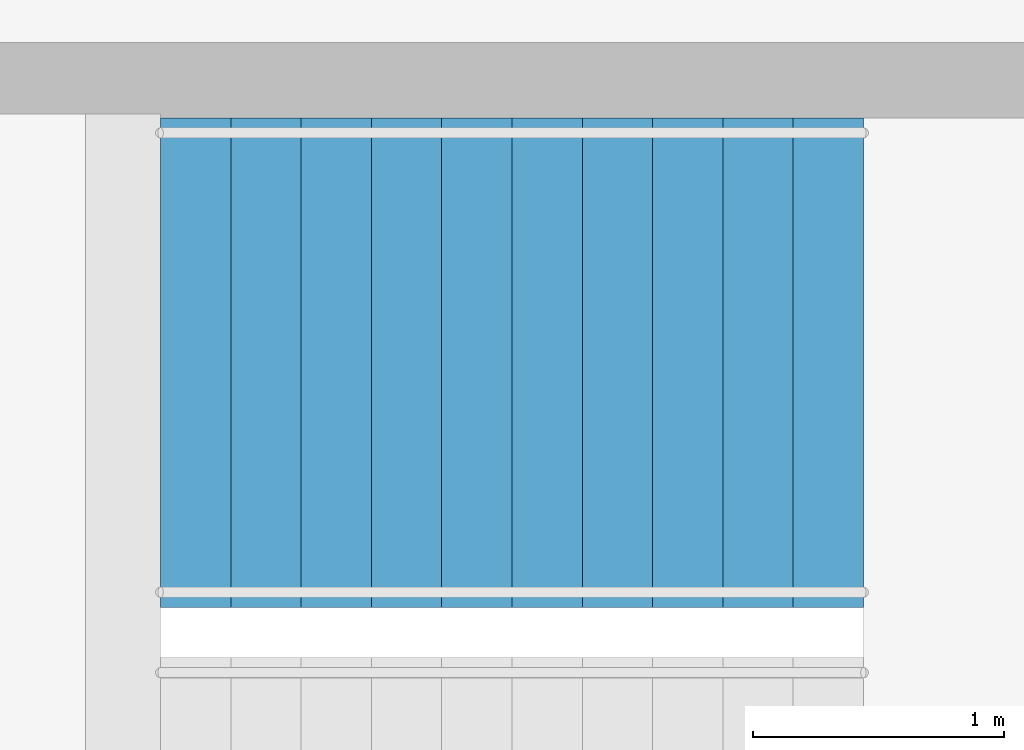
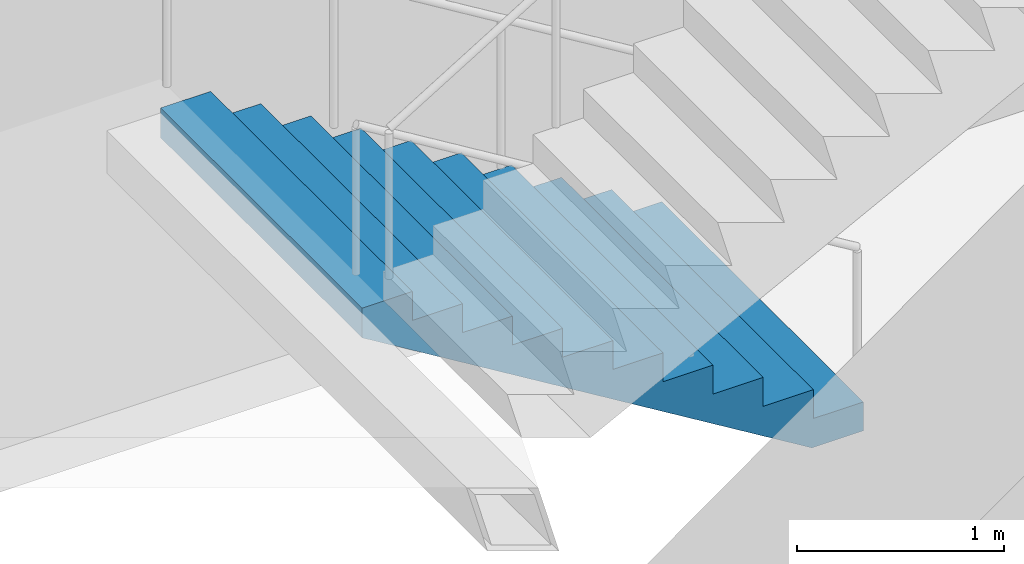
# One storey, part 22 of 23: 1 stair flight, 1 element without a shape of its own.
"""IFC4 building model written with IfcOpenShell, lengths in metres."""

from ifc_helpers import new_model, si_unit, direction, frame, origin, place, context, subcontext, project, spatial, triangles, material, type_object, element, aggregate, save


model = new_model("IFC4")

# Units and contexts
model_context = context("Model", 3, precision=1e-05, world=origin(), true_north=direction((0.0, 1.0)))
body_context = subcontext(model_context, "Body", "Model", "MODEL_VIEW")
ifc_project = project(units=[si_unit("LENGTHUNIT", "METRE"), si_unit("AREAUNIT", "SQUARE_METRE"), si_unit("VOLUMEUNIT", "CUBIC_METRE"), si_unit("PLANEANGLEUNIT", "RADIAN"), si_unit("MASSUNIT", "GRAM", prefix="KILO")], contexts=[model_context])

# Site, building, storey
site_placement = place(None, origin())
site = spatial("IfcSite", under=ifc_project, at=site_placement, CompositionType="ELEMENT")
building_placement = place(site_placement, origin())
building = spatial("IfcBuilding", under=site, at=building_placement, Name="Orbita Commons", CompositionType="ELEMENT")
storey_placement = place(building_placement, frame((0.0, 0.0, 254.050048828125)))
storey = spatial("IfcBuildingStorey", under=building, at=storey_placement, Name="L63", CompositionType="ELEMENT", Elevation=254.050048828125)

# Stair, stair flight
ifc_material_1 = material(Name="Precast concrete C40/50", Category="concrete")
stair_type = type_object("IfcStairType", Name="Exit stair S2 2 flights 11 risers 170", PredefinedType="HALF_TURN_STAIR", material=ifc_material_1)
stair_placement = place(storey_placement, origin())
stair = element("IfcStair", 1, at=stair_placement, inside=storey, type_object=stair_type, Name="Exit stair S2 L63", PredefinedType="HALF_TURN_STAIR")
ifc_material_2 = material(Name="Precast concrete C40/50", Category="concrete")
stair_flight_type = type_object("IfcStairFlightType", Name="Stair flight 11 risers 170 x 280", PredefinedType="STRAIGHT", material=ifc_material_2)
stair_flight_placement = place(storey_placement, frame((63.550048828125, 29.27490234375, 0.0), z_axis=(0.0, 0.0, 1.0), x_axis=(-1.0, 0.0, 0.0)))
stair_flight = element("IfcStairFlight", 2, at=stair_flight_placement, type_object=stair_flight_type, Name="S2 flight 1", NumberOfRisers=11, NumberOfTreads=10, PredefinedType="STRAIGHT", RiserHeight=0.170454545, TreadLength=0.28, context=body_context, shape_type="Tessellation", body=[
    triangles([(0.0, 0.974976, 0.0), (0.0, 0.974976, 0.021307), (0.0, 0.81248, 0.021307), (0.0, 0.81248, 0.0), (0.0, 0.649984, 0.021307), (0.0, 0.649984, 0.0), (0.0, 0.487488, 0.021307), (0.0, 0.487488, 0.0), (0.0, 0.324992, 0.021307), (0.0, 0.324992, 0.0), (0.0, 0.162496, 0.021307), (0.0, 0.162496, 0.0), (0.0, 0.0, 0.021307), (0.0, 0.0, 0.0), (0.0, -0.162496, 0.021307), (0.0, -0.162496, 0.0), (0.0, -0.324992, 0.021307), (0.0, -0.324992, 0.0), (0.0, -0.487488, 0.021307), (0.0, -0.487488, 0.0), (0.0, -0.649984, 0.021307), (0.0, -0.649984, 0.0), (0.0, -0.81248, 0.021307), (0.0, -0.81248, 0.0), (0.0, -0.974976, 0.021307), (0.0, -0.974976, 0.0), (0.0, 0.974976, 0.042614), (0.0, 0.81248, 0.042614), (0.0, 0.649984, 0.042614), (0.0, 0.487488, 0.042614), (0.0, 0.324992, 0.042614), (0.0, 0.162496, 0.042614), (0.0, 0.0, 0.042614), (0.0, -0.162496, 0.042614), (0.0, -0.324992, 0.042614), (0.0, -0.487488, 0.042614), (0.0, -0.649984, 0.042614), (0.0, -0.81248, 0.042614), (0.0, -0.974976, 0.042614), (0.0, 0.974976, 0.06392), (0.0, 0.81248, 0.06392), (0.0, 0.649984, 0.06392), (0.0, 0.487488, 0.06392), (0.0, 0.324992, 0.06392), (0.0, 0.162496, 0.06392), (0.0, 0.0, 0.06392), (0.0, -0.162496, 0.06392), (0.0, -0.324992, 0.06392), (0.0, -0.487488, 0.06392), (0.0, -0.649984, 0.06392), (0.0, -0.81248, 0.06392), (0.0, -0.974976, 0.06392), (0.0, 0.974976, 0.085227), (0.0, 0.81248, 0.085227), (0.0, 0.649984, 0.085227), (0.0, 0.487488, 0.085227), (0.0, 0.324992, 0.085227), (0.0, 0.162496, 0.085227), (0.0, 0.0, 0.085227), (0.0, -0.162496, 0.085227), (0.0, -0.324992, 0.085227), (0.0, -0.487488, 0.085227), (0.0, -0.649984, 0.085227), (0.0, -0.81248, 0.085227), (0.0, -0.974976, 0.085227), (0.0, 0.974976, 0.106534), (0.0, 0.81248, 0.106534), (0.0, 0.649984, 0.106534), (0.0, 0.487488, 0.106534), (0.0, 0.324992, 0.106534), (0.0, 0.162496, 0.106534), (0.0, 0.0, 0.106534), (0.0, -0.162496, 0.106534), (0.0, -0.324992, 0.106534), (0.0, -0.487488, 0.106534), (0.0, -0.649984, 0.106534), (0.0, -0.81248, 0.106534), (0.0, -0.974976, 0.106534), (0.0, 0.974976, 0.127841), (0.0, 0.81248, 0.127841), (0.0, 0.649984, 0.127841), (0.0, 0.487488, 0.127841), (0.0, 0.324992, 0.127841), (0.0, 0.162496, 0.127841), (0.0, 0.0, 0.127841), (0.0, -0.162496, 0.127841), (0.0, -0.324992, 0.127841), (0.0, -0.487488, 0.127841), (0.0, -0.649984, 0.127841), (0.0, -0.81248, 0.127841), (0.0, -0.974976, 0.127841), (0.0, 0.974976, 0.149148), (0.0, 0.81248, 0.149148), (0.0, 0.649984, 0.149148), (0.0, 0.487488, 0.149148), (0.0, 0.324992, 0.149148), (0.0, 0.162496, 0.149148), (0.0, 0.0, 0.149148), (0.0, -0.162496, 0.149148), (0.0, -0.324992, 0.149148), (0.0, -0.487488, 0.149148), (0.0, -0.649984, 0.149148), (0.0, -0.81248, 0.149148), (0.0, -0.974976, 0.149148), (0.0, 0.974976, 0.170455), (0.0, 0.81248, 0.170455), (0.0, 0.649984, 0.170455), (0.0, 0.487488, 0.170455), (0.0, 0.324992, 0.170455), (0.0, 0.162496, 0.170455), (0.0, 0.0, 0.170455), (0.0, -0.162496, 0.170455), (0.0, -0.324992, 0.170455), (0.0, -0.487488, 0.170455), (0.0, -0.649984, 0.170455), (0.0, -0.81248, 0.170455), (0.0, -0.974976, 0.170455), (0.28, 0.974976, 0.170455), (0.28, 0.81248, 0.170455), (0.28, 0.649984, 0.170455), (0.28, 0.487488, 0.170455), (0.28, 0.324992, 0.170455), (0.28, 0.162496, 0.170455), (0.28, 0.0, 0.170455), (0.28, -0.162496, 0.170455), (0.28, -0.324992, 0.170455), (0.28, -0.487488, 0.170455), (0.28, -0.649984, 0.170455), (0.28, -0.81248, 0.170455), (0.28, -0.974976, 0.170455), (0.28, 0.974976, 0.340909), (0.28, 0.81248, 0.340909), (0.28, 0.649984, 0.340909), (0.28, 0.487488, 0.340909), (0.28, 0.324992, 0.340909), (0.28, 0.162496, 0.340909), (0.28, 0.0, 0.340909), (0.28, -0.162496, 0.340909), (0.28, -0.324992, 0.340909), (0.28, -0.487488, 0.340909), (0.28, -0.649984, 0.340909), (0.28, -0.81248, 0.340909), (0.28, -0.974976, 0.340909), (0.56, 0.974976, 0.340909), (0.56, 0.81248, 0.340909), (0.56, 0.649984, 0.340909), (0.56, 0.487488, 0.340909), (0.56, 0.324992, 0.340909), (0.56, 0.162496, 0.340909), (0.56, 0.0, 0.340909), (0.56, -0.162496, 0.340909), (0.56, -0.324992, 0.340909), (0.56, -0.487488, 0.340909), (0.56, -0.649984, 0.340909), (0.56, -0.81248, 0.340909), (0.56, -0.974976, 0.340909), (0.56, 0.974976, 0.511364), (0.56, 0.81248, 0.511364), (0.56, 0.649984, 0.511364), (0.56, 0.487488, 0.511364), (0.56, 0.324992, 0.511364), (0.56, 0.162496, 0.511364), (0.56, 0.0, 0.511364), (0.56, -0.162496, 0.511364), (0.56, -0.324992, 0.511364), (0.56, -0.487488, 0.511364), (0.56, -0.649984, 0.511364), (0.56, -0.81248, 0.511364), (0.56, -0.974976, 0.511364), (0.84, 0.974976, 0.511364), (0.84, 0.81248, 0.511364), (0.84, 0.649984, 0.511364), (0.84, 0.487488, 0.511364), (0.84, 0.324992, 0.511364), (0.84, 0.162496, 0.511364), (0.84, 0.0, 0.511364), (0.84, -0.162496, 0.511364), (0.84, -0.324992, 0.511364), (0.84, -0.487488, 0.511364), (0.84, -0.649984, 0.511364), (0.84, -0.81248, 0.511364), (0.84, -0.974976, 0.511364), (0.84, 0.974976, 0.681818), (0.84, 0.81248, 0.681818), (0.84, 0.649984, 0.681818), (0.84, 0.487488, 0.681818), (0.84, 0.324992, 0.681818), (0.84, 0.162496, 0.681818), (0.84, 0.0, 0.681818), (0.84, -0.162496, 0.681818), (0.84, -0.324992, 0.681818), (0.84, -0.487488, 0.681818), (0.84, -0.649984, 0.681818), (0.84, -0.81248, 0.681818), (0.84, -0.974976, 0.681818), (1.12, 0.974976, 0.681818), (1.12, 0.81248, 0.681818), (1.12, 0.649984, 0.681818), (1.12, 0.487488, 0.681818), (1.12, 0.324992, 0.681818), (1.12, 0.162496, 0.681818), (1.12, 0.0, 0.681818), (1.12, -0.162496, 0.681818), (1.12, -0.324992, 0.681818), (1.12, -0.487488, 0.681818), (1.12, -0.649984, 0.681818), (1.12, -0.81248, 0.681818), (1.12, -0.974976, 0.681818), (1.12, 0.974976, 0.852273), (1.12, 0.81248, 0.852273), (1.12, 0.649984, 0.852273), (1.12, 0.487488, 0.852273), (1.12, 0.324992, 0.852273), (1.12, 0.162496, 0.852273), (1.12, 0.0, 0.852273), (1.12, -0.162496, 0.852273), (1.12, -0.324992, 0.852273), (1.12, -0.487488, 0.852273), (1.12, -0.649984, 0.852273), (1.12, -0.81248, 0.852273), (1.12, -0.974976, 0.852273), (1.4, 0.974976, 0.852273), (1.4, 0.81248, 0.852273), (1.4, 0.649984, 0.852273), (1.4, 0.487488, 0.852273), (1.4, 0.324992, 0.852273), (1.4, 0.162496, 0.852273), (1.4, 0.0, 0.852273), (1.4, -0.162496, 0.852273), (1.4, -0.324992, 0.852273), (1.4, -0.487488, 0.852273), (1.4, -0.649984, 0.852273), (1.4, -0.81248, 0.852273), (1.4, -0.974976, 0.852273), (1.4, 0.974976, 1.022727), (1.4, 0.81248, 1.022727), (1.4, 0.649984, 1.022727), (1.4, 0.487488, 1.022727), (1.4, 0.324992, 1.022727), (1.4, 0.162496, 1.022727), (1.4, 0.0, 1.022727), (1.4, -0.162496, 1.022727), (1.4, -0.324992, 1.022727), (1.4, -0.487488, 1.022727), (1.4, -0.649984, 1.022727), (1.4, -0.81248, 1.022727), (1.4, -0.974976, 1.022727), (1.68, 0.974976, 1.022727), (1.68, 0.81248, 1.022727), (1.68, 0.649984, 1.022727), (1.68, 0.487488, 1.022727), (1.68, 0.324992, 1.022727), (1.68, 0.162496, 1.022727), (1.68, 0.0, 1.022727), (1.68, -0.162496, 1.022727), (1.68, -0.324992, 1.022727), (1.68, -0.487488, 1.022727), (1.68, -0.649984, 1.022727), (1.68, -0.81248, 1.022727), (1.68, -0.974976, 1.022727), (1.68, 0.974976, 1.193182), (1.68, 0.81248, 1.193182), (1.68, 0.649984, 1.193182), (1.68, 0.487488, 1.193182), (1.68, 0.324992, 1.193182), (1.68, 0.162496, 1.193182), (1.68, 0.0, 1.193182), (1.68, -0.162496, 1.193182), (1.68, -0.324992, 1.193182), (1.68, -0.487488, 1.193182), (1.68, -0.649984, 1.193182), (1.68, -0.81248, 1.193182), (1.68, -0.974976, 1.193182), (1.96, 0.974976, 1.193182), (1.96, 0.81248, 1.193182), (1.96, 0.649984, 1.193182), (1.96, 0.487488, 1.193182), (1.96, 0.324992, 1.193182), (1.96, 0.162496, 1.193182), (1.96, 0.0, 1.193182), (1.96, -0.162496, 1.193182), (1.96, -0.324992, 1.193182), (1.96, -0.487488, 1.193182), (1.96, -0.649984, 1.193182), (1.96, -0.81248, 1.193182), (1.96, -0.974976, 1.193182), (1.96, 0.974976, 1.363636), (1.96, 0.81248, 1.363636), (1.96, 0.649984, 1.363636), (1.96, 0.487488, 1.363636), (1.96, 0.324992, 1.363636), (1.96, 0.162496, 1.363636), (1.96, 0.0, 1.363636), (1.96, -0.162496, 1.363636), (1.96, -0.324992, 1.363636), (1.96, -0.487488, 1.363636), (1.96, -0.649984, 1.363636), (1.96, -0.81248, 1.363636), (1.96, -0.974976, 1.363636), (2.24, 0.974976, 1.363636), (2.24, 0.81248, 1.363636), (2.24, 0.649984, 1.363636), (2.24, 0.487488, 1.363636), (2.24, 0.324992, 1.363636), (2.24, 0.162496, 1.363636), (2.24, 0.0, 1.363636), (2.24, -0.162496, 1.363636), (2.24, -0.324992, 1.363636), (2.24, -0.487488, 1.363636), (2.24, -0.649984, 1.363636), (2.24, -0.81248, 1.363636), (2.24, -0.974976, 1.363636), (2.24, 0.974976, 1.534091), (2.24, 0.81248, 1.534091), (2.24, 0.649984, 1.534091), (2.24, 0.487488, 1.534091), (2.24, 0.324992, 1.534091), (2.24, 0.162496, 1.534091), (2.24, 0.0, 1.534091), (2.24, -0.162496, 1.534091), (2.24, -0.324992, 1.534091), (2.24, -0.487488, 1.534091), (2.24, -0.649984, 1.534091), (2.24, -0.81248, 1.534091), (2.24, -0.974976, 1.534091), (2.52, 0.974976, 1.534091), (2.52, 0.81248, 1.534091), (2.52, 0.649984, 1.534091), (2.52, 0.487488, 1.534091), (2.52, 0.324992, 1.534091), (2.52, 0.162496, 1.534091), (2.52, 0.0, 1.534091), (2.52, -0.162496, 1.534091), (2.52, -0.324992, 1.534091), (2.52, -0.487488, 1.534091), (2.52, -0.649984, 1.534091), (2.52, -0.81248, 1.534091), (2.52, -0.974976, 1.534091), (2.52, 0.974976, 1.704545), (2.52, 0.81248, 1.704545), (2.52, 0.649984, 1.704545), (2.52, 0.487488, 1.704545), (2.52, 0.324992, 1.704545), (2.52, 0.162496, 1.704545), (2.52, 0.0, 1.704545), (2.52, -0.162496, 1.704545), (2.52, -0.324992, 1.704545), (2.52, -0.487488, 1.704545), (2.52, -0.649984, 1.704545), (2.52, -0.81248, 1.704545), (2.52, -0.974976, 1.704545), (2.8, 0.974976, 1.704545), (2.8, 0.81248, 1.704545), (2.8, 0.649984, 1.704545), (2.8, 0.487488, 1.704545), (2.8, 0.324992, 1.704545), (2.8, 0.162496, 1.704545), (2.8, 0.0, 1.704545), (2.8, -0.162496, 1.704545), (2.8, -0.324992, 1.704545), (2.8, -0.487488, 1.704545), (2.8, -0.649984, 1.704545), (2.8, -0.81248, 1.704545), (2.8, -0.974976, 1.704545), (2.8, 0.974976, 1.682609), (2.8, 0.81248, 1.682609), (2.8, 0.649984, 1.682609), (2.8, 0.487488, 1.682609), (2.8, 0.324992, 1.682609), (2.8, 0.162496, 1.682609), (2.8, 0.0, 1.682609), (2.8, -0.162496, 1.682609), (2.8, -0.324992, 1.682609), (2.8, -0.487488, 1.682609), (2.8, -0.649984, 1.682609), (2.8, -0.81248, 1.682609), (2.8, -0.974976, 1.682609), (2.8, 0.974976, 1.660672), (2.8, 0.81248, 1.660672), (2.8, 0.649984, 1.660672), (2.8, 0.487488, 1.660672), (2.8, 0.324992, 1.660672), (2.8, 0.162496, 1.660672), (2.8, 0.0, 1.660672), (2.8, -0.162496, 1.660672), (2.8, -0.324992, 1.660672), (2.8, -0.487488, 1.660672), (2.8, -0.649984, 1.660672), (2.8, -0.81248, 1.660672), (2.8, -0.974976, 1.660672), (2.8, 0.974976, 1.638735), (2.8, 0.81248, 1.638735), (2.8, 0.649984, 1.638735), (2.8, 0.487488, 1.638735), (2.8, 0.324992, 1.638735), (2.8, 0.162496, 1.638735), (2.8, 0.0, 1.638735), (2.8, -0.162496, 1.638735), (2.8, -0.324992, 1.638735), (2.8, -0.487488, 1.638735), (2.8, -0.649984, 1.638735), (2.8, -0.81248, 1.638735), (2.8, -0.974976, 1.638735), (2.8, 0.974976, 1.616798), (2.8, 0.81248, 1.616798), (2.8, 0.649984, 1.616798), (2.8, 0.487488, 1.616798), (2.8, 0.324992, 1.616798), (2.8, 0.162496, 1.616798), (2.8, 0.0, 1.616798), (2.8, -0.162496, 1.616798), (2.8, -0.324992, 1.616798), (2.8, -0.487488, 1.616798), (2.8, -0.649984, 1.616798), (2.8, -0.81248, 1.616798), (2.8, -0.974976, 1.616798), (2.8, 0.974976, 1.594861), (2.8, 0.81248, 1.594861), (2.8, 0.649984, 1.594861), (2.8, 0.487488, 1.594861), (2.8, 0.324992, 1.594861), (2.8, 0.162496, 1.594861), (2.8, 0.0, 1.594861), (2.8, -0.162496, 1.594861), (2.8, -0.324992, 1.594861), (2.8, -0.487488, 1.594861), (2.8, -0.649984, 1.594861), (2.8, -0.81248, 1.594861), (2.8, -0.974976, 1.594861), (2.8, 0.974976, 1.572925), (2.8, 0.81248, 1.572925), (2.8, 0.649984, 1.572925), (2.8, 0.487488, 1.572925), (2.8, 0.324992, 1.572925), (2.8, 0.162496, 1.572925), (2.8, 0.0, 1.572925), (2.8, -0.162496, 1.572925), (2.8, -0.324992, 1.572925), (2.8, -0.487488, 1.572925), (2.8, -0.649984, 1.572925), (2.8, -0.81248, 1.572925), (2.8, -0.974976, 1.572925), (2.8, 0.974976, 1.550988), (2.8, 0.81248, 1.550988), (2.8, 0.649984, 1.550988), (2.8, 0.487488, 1.550988), (2.8, 0.324992, 1.550988), (2.8, 0.162496, 1.550988), (2.8, 0.0, 1.550988), (2.8, -0.162496, 1.550988), (2.8, -0.324992, 1.550988), (2.8, -0.487488, 1.550988), (2.8, -0.649984, 1.550988), (2.8, -0.81248, 1.550988), (2.8, -0.974976, 1.550988), (2.8, 0.974976, 1.529051), (2.8, 0.81248, 1.529051), (2.8, 0.649984, 1.529051), (2.8, 0.487488, 1.529051), (2.8, 0.324992, 1.529051), (2.8, 0.162496, 1.529051), (2.8, 0.0, 1.529051), (2.8, -0.162496, 1.529051), (2.8, -0.324992, 1.529051), (2.8, -0.487488, 1.529051), (2.8, -0.649984, 1.529051), (2.8, -0.81248, 1.529051), (2.8, -0.974976, 1.529051), (0.288279, 0.974976, 0.0), (0.288279, 0.81248, 0.0), (0.288279, 0.649984, 0.0), (0.288279, 0.487488, 0.0), (0.288279, 0.324992, 0.0), (0.288279, 0.162496, 0.0), (0.288279, 0.0, 0.0), (0.288279, -0.162496, 0.0), (0.288279, -0.324992, 0.0), (0.288279, -0.487488, 0.0), (0.288279, -0.649984, 0.0), (0.288279, -0.81248, 0.0), (0.288279, -0.974976, 0.0)], [[3, 2, 1], [4, 3, 1], [5, 3, 4], [6, 5, 4], [7, 5, 6], [8, 7, 6], [9, 7, 8], [10, 9, 8], [11, 9, 10], [12, 11, 10], [13, 11, 12], [14, 13, 12], [15, 13, 14], [16, 15, 14], [17, 15, 16], [18, 17, 16], [19, 17, 18], [20, 19, 18], [21, 19, 20], [22, 21, 20], [23, 21, 22], [24, 23, 22], [25, 23, 24], [26, 25, 24], [28, 27, 2], [3, 28, 2], [29, 28, 3], [5, 29, 3], [30, 29, 5], [7, 30, 5], [31, 30, 7], [9, 31, 7], [32, 31, 9], [11, 32, 9], [33, 32, 11], [13, 33, 11], [34, 33, 13], [15, 34, 13], [35, 34, 15], [17, 35, 15], [36, 35, 17], [19, 36, 17], [37, 36, 19], [21, 37, 19], [38, 37, 21], [23, 38, 21], [39, 38, 23], [25, 39, 23], [41, 40, 27], [28, 41, 27], [42, 41, 28], [29, 42, 28], [43, 42, 29], [30, 43, 29], [44, 43, 30], [31, 44, 30], [45, 44, 31], [32, 45, 31], [46, 45, 32], [33, 46, 32], [47, 46, 33], [34, 47, 33], [48, 47, 34], [35, 48, 34], [49, 48, 35], [36, 49, 35], [50, 49, 36], [37, 50, 36], [51, 50, 37], [38, 51, 37], [52, 51, 38], [39, 52, 38], [54, 53, 40], [41, 54, 40], [55, 54, 41], [42, 55, 41], [56, 55, 42], [43, 56, 42], [57, 56, 43], [44, 57, 43], [58, 57, 44], [45, 58, 44], [59, 58, 45], [46, 59, 45], [60, 59, 46], [47, 60, 46], [61, 60, 47], [48, 61, 47], [62, 61, 48], [49, 62, 48], [63, 62, 49], [50, 63, 49], [64, 63, 50], [51, 64, 50], [65, 64, 51], [52, 65, 51], [67, 66, 53], [54, 67, 53], [68, 67, 54], [55, 68, 54], [69, 68, 55], [56, 69, 55], [70, 69, 56], [57, 70, 56], [71, 70, 57], [58, 71, 57], [72, 71, 58], [59, 72, 58], [73, 72, 59], [60, 73, 59], [74, 73, 60], [61, 74, 60], [75, 74, 61], [62, 75, 61], [76, 75, 62], [63, 76, 62], [77, 76, 63], [64, 77, 63], [78, 77, 64], [65, 78, 64], [80, 79, 66], [67, 80, 66], [81, 80, 67], [68, 81, 67], [82, 81, 68], [69, 82, 68], [83, 82, 69], [70, 83, 69], [84, 83, 70], [71, 84, 70], [85, 84, 71], [72, 85, 71], [86, 85, 72], [73, 86, 72], [87, 86, 73], [74, 87, 73], [88, 87, 74], [75, 88, 74], [89, 88, 75], [76, 89, 75], [90, 89, 76], [77, 90, 76], [91, 90, 77], [78, 91, 77], [93, 92, 79], [80, 93, 79], [94, 93, 80], [81, 94, 80], [95, 94, 81], [82, 95, 81], [96, 95, 82], [83, 96, 82], [97, 96, 83], [84, 97, 83], [98, 97, 84], [85, 98, 84], [99, 98, 85], [86, 99, 85], [100, 99, 86], [87, 100, 86], [101, 100, 87], [88, 101, 87], [102, 101, 88], [89, 102, 88], [103, 102, 89], [90, 103, 89], [104, 103, 90], [91, 104, 90], [106, 105, 92], [93, 106, 92], [107, 106, 93], [94, 107, 93], [108, 107, 94], [95, 108, 94], [109, 108, 95], [96, 109, 95], [110, 109, 96], [97, 110, 96], [111, 110, 97], [98, 111, 97], [112, 111, 98], [99, 112, 98], [113, 112, 99], [100, 113, 99], [114, 113, 100], [101, 114, 100], [115, 114, 101], [102, 115, 101], [116, 115, 102], [103, 116, 102], [117, 116, 103], [104, 117, 103], [119, 118, 105], [106, 119, 105], [120, 119, 106], [107, 120, 106], [121, 120, 107], [108, 121, 107], [122, 121, 108], [109, 122, 108], [123, 122, 109], [110, 123, 109], [124, 123, 110], [111, 124, 110], [125, 124, 111], [112, 125, 111], [126, 125, 112], [113, 126, 112], [127, 126, 113], [114, 127, 113], [128, 127, 114], [115, 128, 114], [129, 128, 115], [116, 129, 115], [130, 129, 116], [117, 130, 116], [132, 131, 118], [119, 132, 118], [133, 132, 119], [120, 133, 119], [134, 133, 120], [121, 134, 120], [135, 134, 121], [122, 135, 121], [136, 135, 122], [123, 136, 122], [137, 136, 123], [124, 137, 123], [138, 137, 124], [125, 138, 124], [139, 138, 125], [126, 139, 125], [140, 139, 126], [127, 140, 126], [141, 140, 127], [128, 141, 127], [142, 141, 128], [129, 142, 128], [143, 142, 129], [130, 143, 129], [145, 144, 131], [132, 145, 131], [146, 145, 132], [133, 146, 132], [147, 146, 133], [134, 147, 133], [148, 147, 134], [135, 148, 134], [149, 148, 135], [136, 149, 135], [150, 149, 136], [137, 150, 136], [151, 150, 137], [138, 151, 137], [152, 151, 138], [139, 152, 138], [153, 152, 139], [140, 153, 139], [154, 153, 140], [141, 154, 140], [155, 154, 141], [142, 155, 141], [156, 155, 142], [143, 156, 142], [158, 157, 144], [145, 158, 144], [159, 158, 145], [146, 159, 145], [160, 159, 146], [147, 160, 146], [161, 160, 147], [148, 161, 147], [162, 161, 148], [149, 162, 148], [163, 162, 149], [150, 163, 149], [164, 163, 150], [151, 164, 150], [165, 164, 151], [152, 165, 151], [166, 165, 152], [153, 166, 152], [167, 166, 153], [154, 167, 153], [168, 167, 154], [155, 168, 154], [169, 168, 155], [156, 169, 155], [171, 170, 157], [158, 171, 157], [172, 171, 158], [159, 172, 158], [173, 172, 159], [160, 173, 159], [174, 173, 160], [161, 174, 160], [175, 174, 161], [162, 175, 161], [176, 175, 162], [163, 176, 162], [177, 176, 163], [164, 177, 163], [178, 177, 164], [165, 178, 164], [179, 178, 165], [166, 179, 165], [180, 179, 166], [167, 180, 166], [181, 180, 167], [168, 181, 167], [182, 181, 168], [169, 182, 168], [184, 183, 170], [171, 184, 170], [185, 184, 171], [172, 185, 171], [186, 185, 172], [173, 186, 172], [187, 186, 173], [174, 187, 173], [188, 187, 174], [175, 188, 174], [189, 188, 175], [176, 189, 175], [190, 189, 176], [177, 190, 176], [191, 190, 177], [178, 191, 177], [192, 191, 178], [179, 192, 178], [193, 192, 179], [180, 193, 179], [194, 193, 180], [181, 194, 180], [195, 194, 181], [182, 195, 181], [197, 196, 183], [184, 197, 183], [198, 197, 184], [185, 198, 184], [199, 198, 185], [186, 199, 185], [200, 199, 186], [187, 200, 186], [201, 200, 187], [188, 201, 187], [202, 201, 188], [189, 202, 188], [203, 202, 189], [190, 203, 189], [204, 203, 190], [191, 204, 190], [205, 204, 191], [192, 205, 191], [206, 205, 192], [193, 206, 192], [207, 206, 193], [194, 207, 193], [208, 207, 194], [195, 208, 194], [210, 209, 196], [197, 210, 196], [211, 210, 197], [198, 211, 197], [212, 211, 198], [199, 212, 198], [213, 212, 199], [200, 213, 199], [214, 213, 200], [201, 214, 200], [215, 214, 201], [202, 215, 201], [216, 215, 202], [203, 216, 202], [217, 216, 203], [204, 217, 203], [218, 217, 204], [205, 218, 204], [219, 218, 205], [206, 219, 205], [220, 219, 206], [207, 220, 206], [221, 220, 207], [208, 221, 207], [223, 222, 209], [210, 223, 209], [224, 223, 210], [211, 224, 210], [225, 224, 211], [212, 225, 211], [226, 225, 212], [213, 226, 212], [227, 226, 213], [214, 227, 213], [228, 227, 214], [215, 228, 214], [229, 228, 215], [216, 229, 215], [230, 229, 216], [217, 230, 216], [231, 230, 217], [218, 231, 217], [232, 231, 218], [219, 232, 218], [233, 232, 219], [220, 233, 219], [234, 233, 220], [221, 234, 220], [236, 235, 222], [223, 236, 222], [237, 236, 223], [224, 237, 223], [238, 237, 224], [225, 238, 224], [239, 238, 225], [226, 239, 225], [240, 239, 226], [227, 240, 226], [241, 240, 227], [228, 241, 227], [242, 241, 228], [229, 242, 228], [243, 242, 229], [230, 243, 229], [244, 243, 230], [231, 244, 230], [245, 244, 231], [232, 245, 231], [246, 245, 232], [233, 246, 232], [247, 246, 233], [234, 247, 233], [249, 248, 235], [236, 249, 235], [250, 249, 236], [237, 250, 236], [251, 250, 237], [238, 251, 237], [252, 251, 238], [239, 252, 238], [253, 252, 239], [240, 253, 239], [254, 253, 240], [241, 254, 240], [255, 254, 241], [242, 255, 241], [256, 255, 242], [243, 256, 242], [257, 256, 243], [244, 257, 243], [258, 257, 244], [245, 258, 244], [259, 258, 245], [246, 259, 245], [260, 259, 246], [247, 260, 246], [262, 261, 248], [249, 262, 248], [263, 262, 249], [250, 263, 249], [264, 263, 250], [251, 264, 250], [265, 264, 251], [252, 265, 251], [266, 265, 252], [253, 266, 252], [267, 266, 253], [254, 267, 253], [268, 267, 254], [255, 268, 254], [269, 268, 255], [256, 269, 255], [270, 269, 256], [257, 270, 256], [271, 270, 257], [258, 271, 257], [272, 271, 258], [259, 272, 258], [273, 272, 259], [260, 273, 259], [275, 274, 261], [262, 275, 261], [276, 275, 262], [263, 276, 262], [277, 276, 263], [264, 277, 263], [278, 277, 264], [265, 278, 264], [279, 278, 265], [266, 279, 265], [280, 279, 266], [267, 280, 266], [281, 280, 267], [268, 281, 267], [282, 281, 268], [269, 282, 268], [283, 282, 269], [270, 283, 269], [284, 283, 270], [271, 284, 270], [285, 284, 271], [272, 285, 271], [286, 285, 272], [273, 286, 272], [288, 287, 274], [275, 288, 274], [289, 288, 275], [276, 289, 275], [290, 289, 276], [277, 290, 276], [291, 290, 277], [278, 291, 277], [292, 291, 278], [279, 292, 278], [293, 292, 279], [280, 293, 279], [294, 293, 280], [281, 294, 280], [295, 294, 281], [282, 295, 281], [296, 295, 282], [283, 296, 282], [297, 296, 283], [284, 297, 283], [298, 297, 284], [285, 298, 284], [299, 298, 285], [286, 299, 285], [301, 300, 287], [288, 301, 287], [302, 301, 288], [289, 302, 288], [303, 302, 289], [290, 303, 289], [304, 303, 290], [291, 304, 290], [305, 304, 291], [292, 305, 291], [306, 305, 292], [293, 306, 292], [307, 306, 293], [294, 307, 293], [308, 307, 294], [295, 308, 294], [309, 308, 295], [296, 309, 295], [310, 309, 296], [297, 310, 296], [311, 310, 297], [298, 311, 297], [312, 311, 298], [299, 312, 298], [314, 313, 300], [301, 314, 300], [315, 314, 301], [302, 315, 301], [316, 315, 302], [303, 316, 302], [317, 316, 303], [304, 317, 303], [318, 317, 304], [305, 318, 304], [319, 318, 305], [306, 319, 305], [320, 319, 306], [307, 320, 306], [321, 320, 307], [308, 321, 307], [322, 321, 308], [309, 322, 308], [323, 322, 309], [310, 323, 309], [324, 323, 310], [311, 324, 310], [325, 324, 311], [312, 325, 311], [327, 326, 313], [314, 327, 313], [328, 327, 314], [315, 328, 314], [329, 328, 315], [316, 329, 315], [330, 329, 316], [317, 330, 316], [331, 330, 317], [318, 331, 317], [332, 331, 318], [319, 332, 318], [333, 332, 319], [320, 333, 319], [334, 333, 320], [321, 334, 320], [335, 334, 321], [322, 335, 321], [336, 335, 322], [323, 336, 322], [337, 336, 323], [324, 337, 323], [338, 337, 324], [325, 338, 324], [340, 339, 326], [327, 340, 326], [341, 340, 327], [328, 341, 327], [342, 341, 328], [329, 342, 328], [343, 342, 329], [330, 343, 329], [344, 343, 330], [331, 344, 330], [345, 344, 331], [332, 345, 331], [346, 345, 332], [333, 346, 332], [347, 346, 333], [334, 347, 333], [348, 347, 334], [335, 348, 334], [349, 348, 335], [336, 349, 335], [350, 349, 336], [337, 350, 336], [351, 350, 337], [338, 351, 337], [353, 352, 339], [340, 353, 339], [354, 353, 340], [341, 354, 340], [355, 354, 341], [342, 355, 341], [356, 355, 342], [343, 356, 342], [357, 356, 343], [344, 357, 343], [358, 357, 344], [345, 358, 344], [359, 358, 345], [346, 359, 345], [360, 359, 346], [347, 360, 346], [361, 360, 347], [348, 361, 347], [362, 361, 348], [349, 362, 348], [363, 362, 349], [350, 363, 349], [364, 363, 350], [351, 364, 350], [366, 365, 352], [353, 366, 352], [367, 366, 353], [354, 367, 353], [368, 367, 354], [355, 368, 354], [369, 368, 355], [356, 369, 355], [370, 369, 356], [357, 370, 356], [371, 370, 357], [358, 371, 357], [372, 371, 358], [359, 372, 358], [373, 372, 359], [360, 373, 359], [374, 373, 360], [361, 374, 360], [375, 374, 361], [362, 375, 361], [376, 375, 362], [363, 376, 362], [377, 376, 363], [364, 377, 363], [379, 378, 365], [366, 379, 365], [380, 379, 366], [367, 380, 366], [381, 380, 367], [368, 381, 367], [382, 381, 368], [369, 382, 368], [383, 382, 369], [370, 383, 369], [384, 383, 370], [371, 384, 370], [385, 384, 371], [372, 385, 371], [386, 385, 372], [373, 386, 372], [387, 386, 373], [374, 387, 373], [388, 387, 374], [375, 388, 374], [389, 388, 375], [376, 389, 375], [390, 389, 376], [377, 390, 376], [392, 391, 378], [379, 392, 378], [393, 392, 379], [380, 393, 379], [394, 393, 380], [381, 394, 380], [395, 394, 381], [382, 395, 381], [396, 395, 382], [383, 396, 382], [397, 396, 383], [384, 397, 383], [398, 397, 384], [385, 398, 384], [399, 398, 385], [386, 399, 385], [400, 399, 386], [387, 400, 386], [401, 400, 387], [388, 401, 387], [402, 401, 388], [389, 402, 388], [403, 402, 389], [390, 403, 389], [405, 404, 391], [392, 405, 391], [406, 405, 392], [393, 406, 392], [407, 406, 393], [394, 407, 393], [408, 407, 394], [395, 408, 394], [409, 408, 395], [396, 409, 395], [410, 409, 396], [397, 410, 396], [411, 410, 397], [398, 411, 397], [412, 411, 398], [399, 412, 398], [413, 412, 399], [400, 413, 399], [414, 413, 400], [401, 414, 400], [415, 414, 401], [402, 415, 401], [416, 415, 402], [403, 416, 402], [418, 417, 404], [405, 418, 404], [419, 418, 405], [406, 419, 405], [420, 419, 406], [407, 420, 406], [421, 420, 407], [408, 421, 407], [422, 421, 408], [409, 422, 408], [423, 422, 409], [410, 423, 409], [424, 423, 410], [411, 424, 410], [425, 424, 411], [412, 425, 411], [426, 425, 412], [413, 426, 412], [427, 426, 413], [414, 427, 413], [428, 427, 414], [415, 428, 414], [429, 428, 415], [416, 429, 415], [431, 430, 417], [418, 431, 417], [432, 431, 418], [419, 432, 418], [433, 432, 419], [420, 433, 419], [434, 433, 420], [421, 434, 420], [435, 434, 421], [422, 435, 421], [436, 435, 422], [423, 436, 422], [437, 436, 423], [424, 437, 423], [438, 437, 424], [425, 438, 424], [439, 438, 425], [426, 439, 425], [440, 439, 426], [427, 440, 426], [441, 440, 427], [428, 441, 427], [442, 441, 428], [429, 442, 428], [444, 443, 430], [431, 444, 430], [445, 444, 431], [432, 445, 431], [446, 445, 432], [433, 446, 432], [447, 446, 433], [434, 447, 433], [448, 447, 434], [435, 448, 434], [449, 448, 435], [436, 449, 435], [450, 449, 436], [437, 450, 436], [451, 450, 437], [438, 451, 437], [452, 451, 438], [439, 452, 438], [453, 452, 439], [440, 453, 439], [454, 453, 440], [441, 454, 440], [455, 454, 441], [442, 455, 441], [457, 456, 443], [444, 457, 443], [458, 457, 444], [445, 458, 444], [459, 458, 445], [446, 459, 445], [460, 459, 446], [447, 460, 446], [461, 460, 447], [448, 461, 447], [462, 461, 448], [449, 462, 448], [463, 462, 449], [450, 463, 449], [464, 463, 450], [451, 464, 450], [465, 464, 451], [452, 465, 451], [466, 465, 452], [453, 466, 452], [467, 466, 453], [454, 467, 453], [468, 467, 454], [455, 468, 454], [470, 469, 456], [457, 470, 456], [471, 470, 457], [458, 471, 457], [472, 471, 458], [459, 472, 458], [473, 472, 459], [460, 473, 459], [474, 473, 460], [461, 474, 460], [475, 474, 461], [462, 475, 461], [476, 475, 462], [463, 476, 462], [477, 476, 463], [464, 477, 463], [478, 477, 464], [465, 478, 464], [479, 478, 465], [466, 479, 465], [480, 479, 466], [467, 480, 466], [481, 480, 467], [468, 481, 467], [4, 1, 469], [470, 4, 469], [6, 4, 470], [471, 6, 470], [8, 6, 471], [472, 8, 471], [10, 8, 472], [473, 10, 472], [12, 10, 473], [474, 12, 473], [14, 12, 474], [475, 14, 474], [16, 14, 475], [476, 16, 475], [18, 16, 476], [477, 18, 476], [20, 18, 477], [478, 20, 477], [22, 20, 478], [479, 22, 478], [24, 22, 479], [480, 24, 479], [26, 24, 480], [481, 26, 480], [456, 469, 1], [26, 481, 468], [443, 456, 1], [26, 468, 455], [430, 443, 1], [26, 455, 442], [417, 430, 1], [26, 442, 429], [404, 417, 1], [26, 429, 416], [391, 404, 1], [26, 416, 403], [378, 391, 1], [26, 403, 390], [365, 378, 1], [26, 390, 377], [339, 352, 365], [377, 364, 351], [326, 339, 365], [377, 351, 338], [300, 313, 326], [338, 325, 312], [300, 326, 365], [377, 338, 312], [274, 287, 300], [312, 299, 286], [274, 300, 365], [377, 312, 286], [248, 261, 274], [286, 273, 260], [248, 274, 365], [377, 286, 260], [222, 235, 248], [260, 247, 234], [222, 248, 365], [377, 260, 234], [196, 209, 222], [234, 221, 208], [196, 222, 365], [377, 234, 208], [170, 183, 196], [208, 195, 182], [170, 196, 365], [377, 208, 182], [144, 157, 170], [182, 169, 156], [144, 170, 365], [377, 182, 156], [118, 131, 144], [156, 143, 130], [118, 144, 365], [377, 156, 130], [118, 365, 1], [26, 377, 130], [92, 105, 118], [130, 117, 104], [79, 92, 118], [130, 104, 91], [66, 79, 118], [130, 91, 78], [53, 66, 118], [130, 78, 65], [40, 53, 118], [130, 65, 52], [27, 40, 118], [130, 52, 39], [2, 27, 118], [130, 39, 25], [1, 2, 118], [130, 25, 26]], closed=True),
])
aggregate(stair, [stair_flight])

save(model, "model.ifc")
